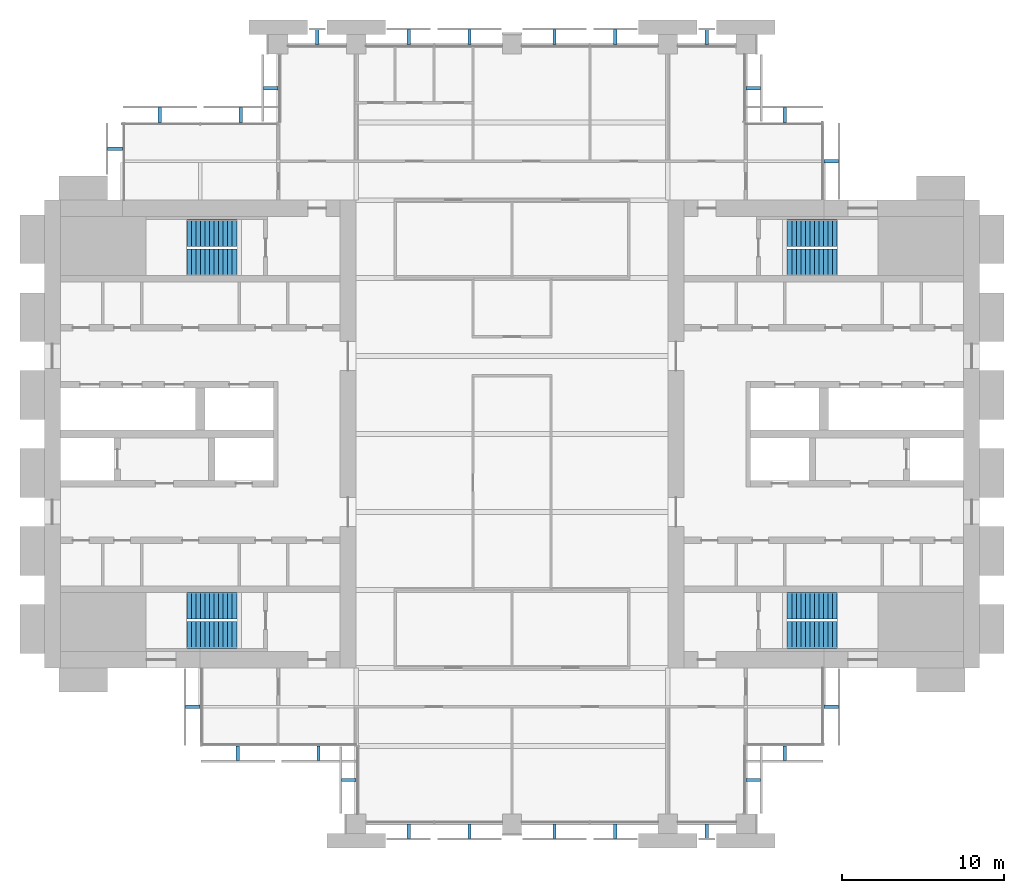
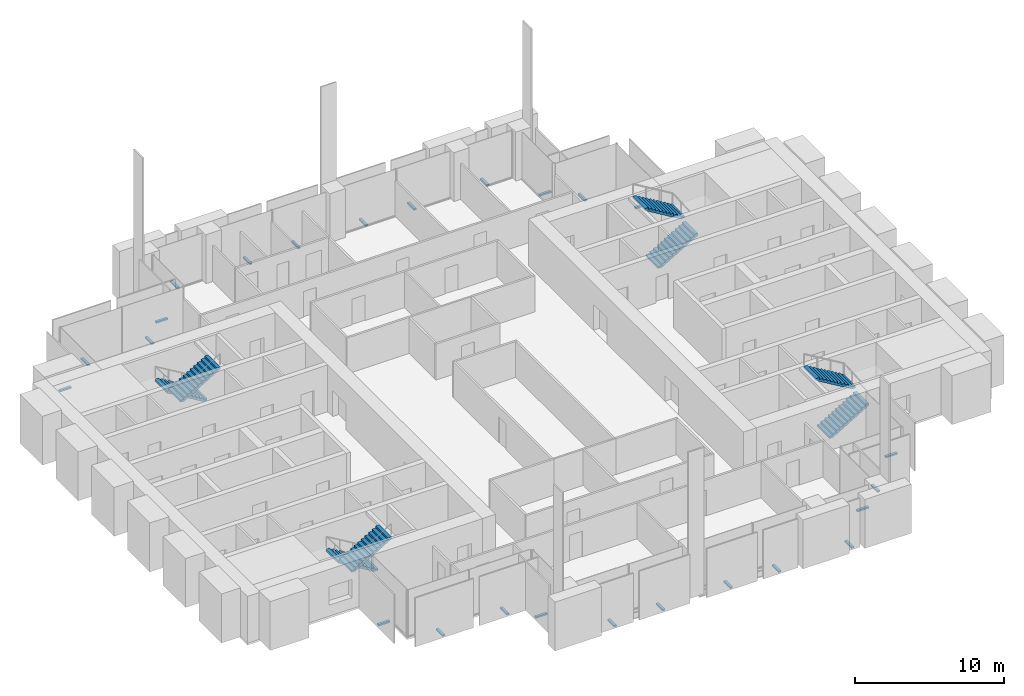
# One storey, part 13 of 14: 25 discrete accessories, 8 stair flights, 4 elements without a shape of their own.
"""IFC4 building model written with IfcOpenShell, lengths in metres."""

from ifc_helpers import new_model, si_unit, direction, frame, origin, origin_2d, place, context, subcontext, project, spatial, polyline, rectangle, outline, extrude, material, type_object, element, aggregate, save


model = new_model("IFC4")

# Units and contexts
model_context = context("Model", 3, precision=1e-05, world=origin(), true_north=direction((0.0, 1.0)))
body_context = subcontext(model_context, "Body", "Model", "MODEL_VIEW")
ifc_project = project(units=[si_unit("LENGTHUNIT", "METRE"), si_unit("AREAUNIT", "SQUARE_METRE"), si_unit("VOLUMEUNIT", "CUBIC_METRE"), si_unit("PLANEANGLEUNIT", "RADIAN"), si_unit("MASSUNIT", "GRAM", prefix="KILO")], contexts=[model_context])

# Site, building, storey
site_placement = place(None, origin())
site = spatial("IfcSite", under=ifc_project, at=site_placement, CompositionType="ELEMENT")
building_placement = place(site_placement, origin())
building = spatial("IfcBuilding", under=site, at=building_placement, Name="Baori Bourse Tower", CompositionType="ELEMENT")
storey_placement = place(building_placement, frame((0.0, 0.0, 156.10009765625)))
storey = spatial("IfcBuildingStorey", under=building, at=storey_placement, Name="L34", CompositionType="ELEMENT", Elevation=156.10009765625)

# Stair, stair flights
ifc_material_1 = material(Name="Concrete f'c 50 MPa", Category="concrete")
stair_type = type_object("IfcStairType", Name="Core stair", PredefinedType="HALF_TURN_STAIR", material=ifc_material_1)
stair_1_placement = place(storey_placement, origin())
stair_1 = element("IfcStair", 1, at=stair_1_placement, inside=storey, type_object=stair_type, Name="L34 Stair WA", PredefinedType="HALF_TURN_STAIR")
ifc_material_2 = material(Name="Concrete f'c 50 MPa", Category="concrete")
stair_flight_type = type_object("IfcStairFlightType", Name="Core stair flight", PredefinedType="STRAIGHT", material=ifc_material_2)
stair_flight_1_placement = place(storey_placement, frame((11.85009765625, 13.425048828125, 0.0), z_axis=(0.0, 0.0, 1.0), x_axis=(-1.0, 0.0, 0.0)))
stair_flight_1 = element("IfcStairFlight", 2, at=stair_flight_1_placement, type_object=stair_flight_type, Name="ST1 flight 1", NumberOfRisers=12, NumberOfTreads=11, PredefinedType="STRAIGHT", RiserHeight=0.166666667, TreadLength=0.28, context=body_context, shape_type="SweptSolid", body=[
    extrude(outline(polyline([(0.0, 0.0), (0.0, 0.166748046875), (0.280029296875, 0.166748046875), (0.280029296875, 0.333251953125), (0.56005859375, 0.333251953125), (0.56005859375, 0.5), (0.840087890625, 0.5), (0.840087890625, 0.666748046875), (1.1201171875, 0.666748046875), (1.1201171875, 0.833251953125), (1.39990234375, 0.833251953125), (1.39990234375, 1.0), (1.679931640625, 1.0), (1.679931640625, 1.166748046875), (1.9599609375, 1.166748046875), (1.9599609375, 1.333251953125), (2.239990234375, 1.333251953125), (2.239990234375, 1.5), (2.52001953125, 1.5), (2.52001953125, 1.666748046875), (2.800048828125, 1.666748046875), (2.800048828125, 1.833251953125), (3.080078125, 1.833251953125), (3.080078125, 2.0), (3.080078125, 1.658935546875), (0.29296875, 0.0), (0.0, 0.0)])), frame((0.0, 0.824951171875, 0.0), z_axis=(0.0, -1.0, 0.0), x_axis=(1.0, 0.0, 0.0)), (0.0, 0.0, 1.0), 1.64990234375),
])
stair_flight_2_placement = place(storey_placement, frame((8.77001953125, 11.625, 2.0), z_axis=(0.0, 0.0, 1.0), x_axis=(1.0, 0.0, 0.0)))
stair_flight_2 = element("IfcStairFlight", 3, at=stair_flight_2_placement, type_object=stair_flight_type, Name="ST1 flight 2", NumberOfRisers=12, NumberOfTreads=11, PredefinedType="STRAIGHT", RiserHeight=0.166666667, TreadLength=0.28, context=body_context, shape_type="SweptSolid", body=[
    extrude(outline(polyline([(0.0, 0.0), (0.0, 0.166748046875), (0.280029296875, 0.166748046875), (0.280029296875, 0.333251953125), (0.56005859375, 0.333251953125), (0.56005859375, 0.5), (0.840087890625, 0.5), (0.840087890625, 0.666748046875), (1.1201171875, 0.666748046875), (1.1201171875, 0.833251953125), (1.39990234375, 0.833251953125), (1.39990234375, 1.0), (1.679931640625, 1.0), (1.679931640625, 1.166748046875), (1.9599609375, 1.166748046875), (1.9599609375, 1.333251953125), (2.239990234375, 1.333251953125), (2.239990234375, 1.5), (2.52001953125, 1.5), (2.52001953125, 1.666748046875), (2.800048828125, 1.666748046875), (2.800048828125, 1.833251953125), (3.080078125, 1.833251953125), (3.080078125, 2.0), (3.080078125, 1.658935546875), (0.29296875, 0.0), (0.0, 0.0)])), frame((0.0, 0.824951171875, 0.0), z_axis=(0.0, -1.0, 0.0), x_axis=(1.0, 0.0, 0.0)), (0.0, 0.0, 1.0), 1.64990234375),
])
aggregate(stair_1, [stair_flight_1, stair_flight_2])

stair_2_placement = place(storey_placement, origin())
stair_2 = element("IfcStair", 4, at=stair_2_placement, inside=storey, type_object=stair_type, Name="L34 Stair WB", PredefinedType="HALF_TURN_STAIR")
stair_flight_3_placement = place(storey_placement, frame((11.85009765625, 36.375, 0.0), z_axis=(0.0, 0.0, 1.0), x_axis=(-1.0, 0.0, 0.0)))
stair_flight_3 = element("IfcStairFlight", 5, at=stair_flight_3_placement, type_object=stair_flight_type, Name="ST2 flight 1", NumberOfRisers=12, NumberOfTreads=11, PredefinedType="STRAIGHT", RiserHeight=0.166666667, TreadLength=0.28, context=body_context, shape_type="SweptSolid", body=[
    extrude(outline(polyline([(0.0, 0.0), (0.0, 0.166748046875), (0.280029296875, 0.166748046875), (0.280029296875, 0.333251953125), (0.56005859375, 0.333251953125), (0.56005859375, 0.5), (0.840087890625, 0.5), (0.840087890625, 0.666748046875), (1.1201171875, 0.666748046875), (1.1201171875, 0.833251953125), (1.39990234375, 0.833251953125), (1.39990234375, 1.0), (1.679931640625, 1.0), (1.679931640625, 1.166748046875), (1.9599609375, 1.166748046875), (1.9599609375, 1.333251953125), (2.239990234375, 1.333251953125), (2.239990234375, 1.5), (2.52001953125, 1.5), (2.52001953125, 1.666748046875), (2.800048828125, 1.666748046875), (2.800048828125, 1.833251953125), (3.080078125, 1.833251953125), (3.080078125, 2.0), (3.080078125, 1.658935546875), (0.29296875, 0.0), (0.0, 0.0)])), frame((0.0, 0.824951171875, 0.0), z_axis=(0.0, -1.0, 0.0), x_axis=(1.0, 0.0, 0.0)), (0.0, 0.0, 1.0), 1.64990234375),
])
stair_flight_4_placement = place(storey_placement, frame((8.77001953125, 34.574951171875, 2.0), z_axis=(0.0, 0.0, 1.0), x_axis=(1.0, 0.0, 0.0)))
stair_flight_4 = element("IfcStairFlight", 6, at=stair_flight_4_placement, type_object=stair_flight_type, Name="ST2 flight 2", NumberOfRisers=12, NumberOfTreads=11, PredefinedType="STRAIGHT", RiserHeight=0.166666667, TreadLength=0.28, context=body_context, shape_type="SweptSolid", body=[
    extrude(outline(polyline([(0.0, 0.0), (0.0, 0.166748046875), (0.280029296875, 0.166748046875), (0.280029296875, 0.333251953125), (0.56005859375, 0.333251953125), (0.56005859375, 0.5), (0.840087890625, 0.5), (0.840087890625, 0.666748046875), (1.1201171875, 0.666748046875), (1.1201171875, 0.833251953125), (1.39990234375, 0.833251953125), (1.39990234375, 1.0), (1.679931640625, 1.0), (1.679931640625, 1.166748046875), (1.9599609375, 1.166748046875), (1.9599609375, 1.333251953125), (2.239990234375, 1.333251953125), (2.239990234375, 1.5), (2.52001953125, 1.5), (2.52001953125, 1.666748046875), (2.800048828125, 1.666748046875), (2.800048828125, 1.833251953125), (3.080078125, 1.833251953125), (3.080078125, 2.0), (3.080078125, 1.658935546875), (0.29296875, 0.0), (0.0, 0.0)])), frame((0.0, 0.824951171875, 0.0), z_axis=(0.0, -1.0, 0.0), x_axis=(1.0, 0.0, 0.0)), (0.0, 0.0, 1.0), 1.64990234375),
])
aggregate(stair_2, [stair_flight_3, stair_flight_4])

stair_3_placement = place(storey_placement, origin())
stair_3 = element("IfcStair", 7, at=stair_3_placement, inside=storey, type_object=stair_type, Name="L34 Stair EA", PredefinedType="HALF_TURN_STAIR")
stair_flight_5_placement = place(storey_placement, frame((45.75, 11.625, 0.0), z_axis=(0.0, 0.0, 1.0), x_axis=(1.0, 0.0, 0.0)))
stair_flight_5 = element("IfcStairFlight", 8, at=stair_flight_5_placement, type_object=stair_flight_type, Name="ST3 flight 1", NumberOfRisers=12, NumberOfTreads=11, PredefinedType="STRAIGHT", RiserHeight=0.166666667, TreadLength=0.28, context=body_context, shape_type="SweptSolid", body=[
    extrude(outline(polyline([(0.0, 0.0), (0.0, 0.166748046875), (0.280029296875, 0.166748046875), (0.280029296875, 0.333251953125), (0.56005859375, 0.333251953125), (0.56005859375, 0.5), (0.840087890625, 0.5), (0.840087890625, 0.666748046875), (1.1201171875, 0.666748046875), (1.1201171875, 0.833251953125), (1.39990234375, 0.833251953125), (1.39990234375, 1.0), (1.679931640625, 1.0), (1.679931640625, 1.166748046875), (1.9599609375, 1.166748046875), (1.9599609375, 1.333251953125), (2.239990234375, 1.333251953125), (2.239990234375, 1.5), (2.52001953125, 1.5), (2.52001953125, 1.666748046875), (2.800048828125, 1.666748046875), (2.800048828125, 1.833251953125), (3.080078125, 1.833251953125), (3.080078125, 2.0), (3.080078125, 1.658935546875), (0.29296875, 0.0), (0.0, 0.0)])), frame((0.0, 0.824951171875, 0.0), z_axis=(0.0, -1.0, 0.0), x_axis=(1.0, 0.0, 0.0)), (0.0, 0.0, 1.0), 1.64990234375),
])
stair_flight_6_placement = place(storey_placement, frame((48.830078125, 13.425048828125, 2.0), z_axis=(0.0, 0.0, 1.0), x_axis=(-1.0, 0.0, 0.0)))
stair_flight_6 = element("IfcStairFlight", 9, at=stair_flight_6_placement, type_object=stair_flight_type, Name="ST3 flight 2", NumberOfRisers=12, NumberOfTreads=11, PredefinedType="STRAIGHT", RiserHeight=0.166666667, TreadLength=0.28, context=body_context, shape_type="SweptSolid", body=[
    extrude(outline(polyline([(0.0, 0.0), (0.0, 0.166748046875), (0.280029296875, 0.166748046875), (0.280029296875, 0.333251953125), (0.56005859375, 0.333251953125), (0.56005859375, 0.5), (0.840087890625, 0.5), (0.840087890625, 0.666748046875), (1.1201171875, 0.666748046875), (1.1201171875, 0.833251953125), (1.39990234375, 0.833251953125), (1.39990234375, 1.0), (1.679931640625, 1.0), (1.679931640625, 1.166748046875), (1.9599609375, 1.166748046875), (1.9599609375, 1.333251953125), (2.239990234375, 1.333251953125), (2.239990234375, 1.5), (2.52001953125, 1.5), (2.52001953125, 1.666748046875), (2.800048828125, 1.666748046875), (2.800048828125, 1.833251953125), (3.080078125, 1.833251953125), (3.080078125, 2.0), (3.080078125, 1.658935546875), (0.29296875, 0.0), (0.0, 0.0)])), frame((0.0, 0.824951171875, 0.0), z_axis=(0.0, -1.0, 0.0), x_axis=(1.0, 0.0, 0.0)), (0.0, 0.0, 1.0), 1.64990234375),
])
aggregate(stair_3, [stair_flight_5, stair_flight_6])

stair_4_placement = place(storey_placement, origin())
stair_4 = element("IfcStair", 10, at=stair_4_placement, inside=storey, type_object=stair_type, Name="L34 Stair EB", PredefinedType="HALF_TURN_STAIR")
stair_flight_7_placement = place(storey_placement, frame((45.75, 34.574951171875, 0.0), z_axis=(0.0, 0.0, 1.0), x_axis=(1.0, 0.0, 0.0)))
stair_flight_7 = element("IfcStairFlight", 11, at=stair_flight_7_placement, type_object=stair_flight_type, Name="ST4 flight 1", NumberOfRisers=12, NumberOfTreads=11, PredefinedType="STRAIGHT", RiserHeight=0.166666667, TreadLength=0.28, context=body_context, shape_type="SweptSolid", body=[
    extrude(outline(polyline([(0.0, 0.0), (0.0, 0.166748046875), (0.280029296875, 0.166748046875), (0.280029296875, 0.333251953125), (0.56005859375, 0.333251953125), (0.56005859375, 0.5), (0.840087890625, 0.5), (0.840087890625, 0.666748046875), (1.1201171875, 0.666748046875), (1.1201171875, 0.833251953125), (1.39990234375, 0.833251953125), (1.39990234375, 1.0), (1.679931640625, 1.0), (1.679931640625, 1.166748046875), (1.9599609375, 1.166748046875), (1.9599609375, 1.333251953125), (2.239990234375, 1.333251953125), (2.239990234375, 1.5), (2.52001953125, 1.5), (2.52001953125, 1.666748046875), (2.800048828125, 1.666748046875), (2.800048828125, 1.833251953125), (3.080078125, 1.833251953125), (3.080078125, 2.0), (3.080078125, 1.658935546875), (0.29296875, 0.0), (0.0, 0.0)])), frame((0.0, 0.824951171875, 0.0), z_axis=(0.0, -1.0, 0.0), x_axis=(1.0, 0.0, 0.0)), (0.0, 0.0, 1.0), 1.64990234375),
])
stair_flight_8_placement = place(storey_placement, frame((48.830078125, 36.375, 2.0), z_axis=(0.0, 0.0, 1.0), x_axis=(-1.0, 0.0, 0.0)))
stair_flight_8 = element("IfcStairFlight", 12, at=stair_flight_8_placement, type_object=stair_flight_type, Name="ST4 flight 2", NumberOfRisers=12, NumberOfTreads=11, PredefinedType="STRAIGHT", RiserHeight=0.166666667, TreadLength=0.28, context=body_context, shape_type="SweptSolid", body=[
    extrude(outline(polyline([(0.0, 0.0), (0.0, 0.166748046875), (0.280029296875, 0.166748046875), (0.280029296875, 0.333251953125), (0.56005859375, 0.333251953125), (0.56005859375, 0.5), (0.840087890625, 0.5), (0.840087890625, 0.666748046875), (1.1201171875, 0.666748046875), (1.1201171875, 0.833251953125), (1.39990234375, 0.833251953125), (1.39990234375, 1.0), (1.679931640625, 1.0), (1.679931640625, 1.166748046875), (1.9599609375, 1.166748046875), (1.9599609375, 1.333251953125), (2.239990234375, 1.333251953125), (2.239990234375, 1.5), (2.52001953125, 1.5), (2.52001953125, 1.666748046875), (2.800048828125, 1.666748046875), (2.800048828125, 1.833251953125), (3.080078125, 1.833251953125), (3.080078125, 2.0), (3.080078125, 1.658935546875), (0.29296875, 0.0), (0.0, 0.0)])), frame((0.0, 0.824951171875, 0.0), z_axis=(0.0, -1.0, 0.0), x_axis=(1.0, 0.0, 0.0)), (0.0, 0.0, 1.0), 1.64990234375),
])
aggregate(stair_4, [stair_flight_7, stair_flight_8])

# Discrete accessories
ifc_material_3 = material(Name="Pale anodised aluminium", Category="aluminium")
discrete_accessory_type = type_object("IfcDiscreteAccessoryType", Name="OS2 Outer skin bracket", PredefinedType="BRACKET", material=ifc_material_3)
for number, where, z_axis, x_axis, name in (
    (13, (48.449951171875, 40.800048828125, -0.14404296875), (0.0, 0.0, 1.0), (0.0, 1.0, 0.0), "Outer skin bracket L34 1"),
    (14, (45.60009765625, 43.64990234375, -0.14404296875), (0.0, 0.0, 1.0), (-1.0, 0.0, 0.0), "Outer skin bracket L34 2"),
    (15, (43.64990234375, 45.300048828125, -0.14404296875), (0.0, 0.0, 1.0), (0.0, 1.0, 0.0), "Outer skin bracket L34 3"),
    (16, (40.800048828125, 48.449951171875, -0.14404296875), (0.0, 0.0, 1.0), (-1.0, 0.0, 0.0), "Outer skin bracket L34 4"),
    (17, (35.16259765625, 48.449951171875, -0.14404296875), (0.0, 0.0, 1.0), (-1.0, 0.0, 0.0), "Outer skin bracket L34 5"),
    (18, (31.41259765625, 48.449951171875, -0.14404296875), (0.0, 0.0, 1.0), (-1.0, 0.0, 0.0), "Outer skin bracket L34 6"),
    (19, (26.1875, 48.449951171875, -0.14404296875), (0.0, 0.0, 1.0), (-1.0, 0.0, 0.0), "Outer skin bracket L34 7"),
    (20, (22.4375, 48.449951171875, -0.14404296875), (0.0, 0.0, 1.0), (-1.0, 0.0, 0.0), "Outer skin bracket L34 8"),
    (21, (16.800048828125, 48.449951171875, -0.14404296875), (0.0, 0.0, 1.0), (-1.0, 0.0, 0.0), "Outer skin bracket L34 9"),
    (22, (13.949951171875, 45.300048828125, -0.14404296875), (0.0, 0.0, 1.0), (0.0, -1.0, 0.0), "Outer skin bracket L34 10"),
    (23, (12.08740234375, 43.64990234375, -0.14404296875), (0.0, 0.0, 1.0), (-1.0, 0.0, 0.0), "Outer skin bracket L34 11"),
    (24, (7.112548828125, 43.64990234375, -0.14404296875), (0.0, 0.0, 1.0), (-1.0, 0.0, 0.0), "Outer skin bracket L34 12"),
    (25, (4.35009765625, 41.574951171875, -0.14404296875), (0.0, 0.0, 1.0), (0.0, -1.0, 0.0), "Outer skin bracket L34 13"),
    (26, (9.14990234375, 7.199951171875, -0.14404296875), (0.0, 0.0, 1.0), (0.0, -1.0, 0.0), "Outer skin bracket L34 14"),
    (27, (11.91259765625, 4.35009765625, -0.14404296875), (0.0, 0.0, 1.0), (1.0, 0.0, 0.0), "Outer skin bracket L34 15"),
    (28, (16.887451171875, 4.35009765625, -0.14404296875), (0.0, 0.0, 1.0), (1.0, 0.0, 0.0), "Outer skin bracket L34 16"),
    (29, (18.75, 2.699951171875, -0.14404296875), (0.0, 0.0, 1.0), (0.0, -1.0, 0.0), "Outer skin bracket L34 17"),
    (30, (22.4375, -0.449951171875, -0.14404296875), (0.0, 0.0, 1.0), (1.0, 0.0, 0.0), "Outer skin bracket L34 18"),
    (31, (26.1875, -0.449951171875, -0.14404296875), (0.0, 0.0, 1.0), (1.0, 0.0, 0.0), "Outer skin bracket L34 19"),
    (32, (31.41259765625, -0.449951171875, -0.14404296875), (0.0, 0.0, 1.0), (1.0, 0.0, 0.0), "Outer skin bracket L34 20"),
    (33, (35.16259765625, -0.449951171875, -0.14404296875), (0.0, 0.0, 1.0), (1.0, 0.0, 0.0), "Outer skin bracket L34 21"),
    (34, (40.800048828125, -0.449951171875, -0.14404296875), (0.0, 0.0, 1.0), (1.0, 0.0, 0.0), "Outer skin bracket L34 22"),
    (35, (43.64990234375, 2.699951171875, -0.14404296875), (0.0, 0.0, 1.0), (0.0, 1.0, 0.0), "Outer skin bracket L34 23"),
    (36, (45.60009765625, 4.35009765625, -0.14404296875), (0.0, 0.0, 1.0), (1.0, 0.0, 0.0), "Outer skin bracket L34 24"),
    (37, (48.449951171875, 7.199951171875, -0.14404296875), (0.0, 0.0, 1.0), (0.0, 1.0, 0.0), "Outer skin bracket L34 25"),
):
    element("IfcDiscreteAccessory", number, at=place(storey_placement, frame(where, z_axis=z_axis, x_axis=x_axis)), inside=storey, type_object=discrete_accessory_type, Name=name, PredefinedType="BRACKET", context=body_context, shape_type="SweptSolid", body=[
        extrude(rectangle(XDim=0.199951171875, YDim=0.89990234375, at=origin_2d()), origin(), (0.0, 0.0, 1.0), 0.1279296875),
    ])

save(model, "model.ifc")
